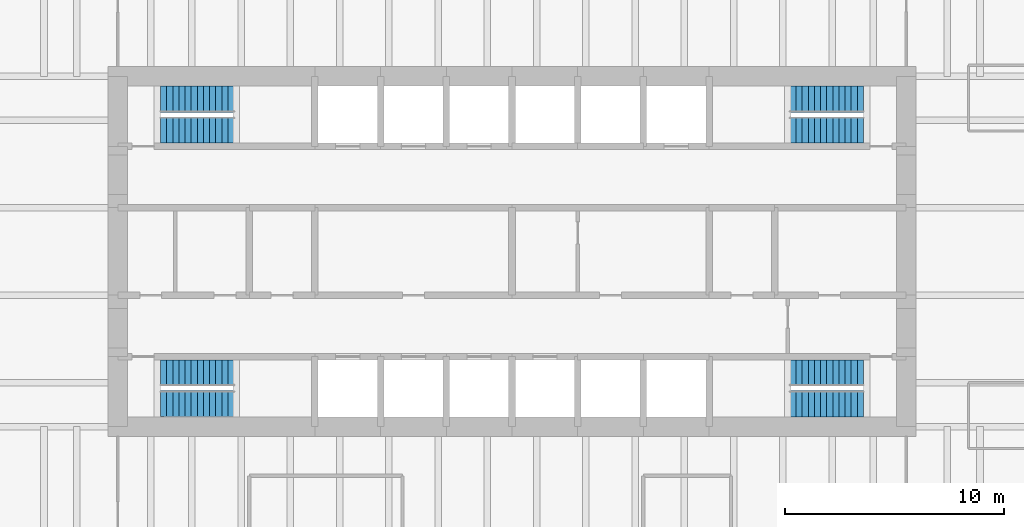
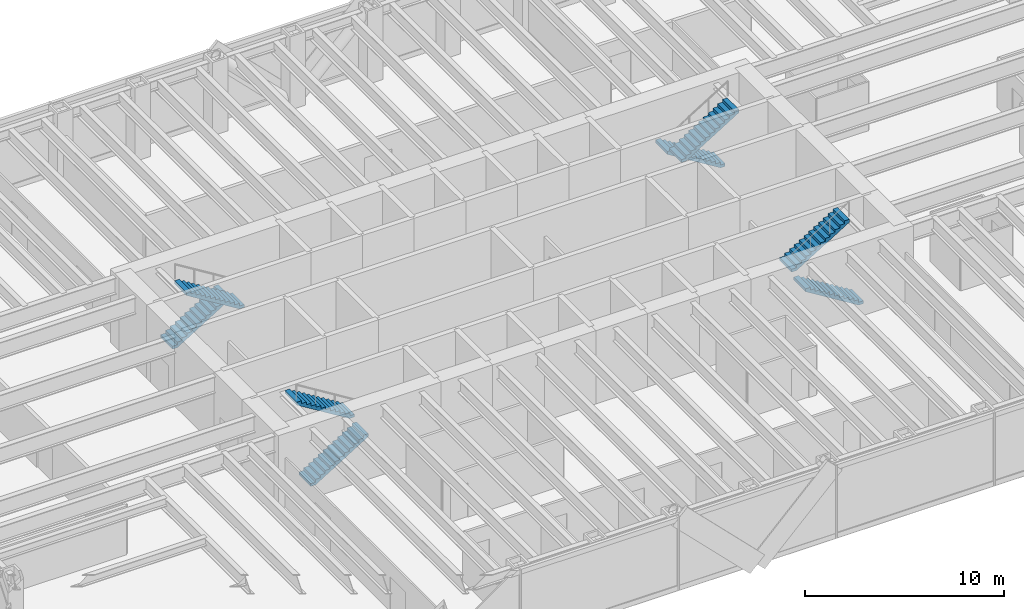
# One storey, part 12 of 13: 8 stair flights, 4 elements without a shape of their own.
"""IFC4 building model written with IfcOpenShell, lengths in metres."""

from ifc_helpers import new_model, si_unit, direction, frame, origin, place, context, subcontext, project, spatial, polyline, outline, extrude, material, type_object, element, aggregate, save


model = new_model("IFC4")

# Units and contexts
model_context = context("Model", 3, precision=1e-05, world=origin(), true_north=direction((0.0, 1.0)))
body_context = subcontext(model_context, "Body", "Model", "MODEL_VIEW")
ifc_project = project(units=[si_unit("LENGTHUNIT", "METRE"), si_unit("AREAUNIT", "SQUARE_METRE"), si_unit("VOLUMEUNIT", "CUBIC_METRE"), si_unit("PLANEANGLEUNIT", "RADIAN"), si_unit("MASSUNIT", "GRAM", prefix="KILO")], contexts=[model_context])

# Site, building, storey
site_placement = place(None, origin())
site = spatial("IfcSite", under=ifc_project, at=site_placement, CompositionType="ELEMENT")
building_placement = place(site_placement, origin())
building = spatial("IfcBuilding", under=site, at=building_placement, Name="Rheinbord Bourse Tower", CompositionType="ELEMENT")
storey_placement = place(building_placement, frame((0.0, 0.0, 32.0)))
storey = spatial("IfcBuildingStorey", under=building, at=storey_placement, Name="L06", CompositionType="ELEMENT", Elevation=32.0)

# Stair, stair flights
ifc_material_1 = material(Name="Concrete C30/37", Category="concrete")
stair_type = type_object("IfcStairType", Name="CORE STAIR HALF TURN 4500", PredefinedType="HALF_TURN_STAIR", material=ifc_material_1)
stair_1_placement = place(storey_placement, origin())
stair_1 = element("IfcStair", 1, at=stair_1_placement, inside=storey, type_object=stair_type, Name="Stair ST1 L06, type CS4", PredefinedType="HALF_TURN_STAIR")
ifc_material_2 = material(Name="Concrete C30/37", Category="concrete")
stair_flight_type = type_object("IfcStairFlightType", Name="CORE STAIR FLIGHT 1200, 13 RISERS", PredefinedType="STRAIGHT", material=ifc_material_2)
stair_flight_1_placement = place(storey_placement, frame((19.949951171875, 17.050048828125, 0.0), z_axis=(0.0, 0.0, 1.0), x_axis=(1.0, 0.0, 0.0)))
stair_flight_1 = element("IfcStairFlight", 2, at=stair_flight_1_placement, type_object=stair_flight_type, Name="STAIR L06 ST1 F1", NumberOfRisers=13, NumberOfTreads=12, PredefinedType="STRAIGHT", RiserHeight=0.173076923, TreadLength=0.28, context=body_context, shape_type="SweptSolid", body=[
    extrude(outline(polyline([(0.0, 0.0), (0.0, 0.173095703125), (0.280029296875, 0.173095703125), (0.280029296875, 0.34619140625), (0.56005859375, 0.34619140625), (0.56005859375, 0.519287109375), (0.840087890625, 0.519287109375), (0.840087890625, 0.6923828125), (1.1201171875, 0.6923828125), (1.1201171875, 0.865478515625), (1.39990234375, 0.865478515625), (1.39990234375, 1.03857421875), (1.679931640625, 1.03857421875), (1.679931640625, 1.21142578125), (1.9599609375, 1.21142578125), (1.9599609375, 1.384521484375), (2.239990234375, 1.384521484375), (2.239990234375, 1.5576171875), (2.52001953125, 1.5576171875), (2.52001953125, 1.730712890625), (2.800048828125, 1.730712890625), (2.800048828125, 1.90380859375), (3.080078125, 1.90380859375), (3.080078125, 2.076904296875), (3.360107421875, 2.076904296875), (3.360107421875, 2.25), (3.360107421875, 1.900634765625), (0.28515625, 0.0), (0.0, 0.0)])), frame((0.0, 0.60009765625, 0.0), z_axis=(0.0, -1.0, 0.0), x_axis=(1.0, 0.0, 0.0)), (0.0, 0.0, 1.0), 1.199951171875),
])
stair_flight_2_placement = place(storey_placement, frame((23.31005859375, 18.449951171875, 2.25), z_axis=(0.0, 0.0, 1.0), x_axis=(-1.0, 0.0, 0.0)))
stair_flight_2 = element("IfcStairFlight", 3, at=stair_flight_2_placement, type_object=stair_flight_type, Name="STAIR L06 ST1 F2", NumberOfRisers=13, NumberOfTreads=12, PredefinedType="STRAIGHT", RiserHeight=0.173076923, TreadLength=0.28, context=body_context, shape_type="SweptSolid", body=[
    extrude(outline(polyline([(0.0, 0.0), (0.0, 0.173095703125), (0.280029296875, 0.173095703125), (0.280029296875, 0.34619140625), (0.56005859375, 0.34619140625), (0.56005859375, 0.519287109375), (0.840087890625, 0.519287109375), (0.840087890625, 0.6923828125), (1.1201171875, 0.6923828125), (1.1201171875, 0.865478515625), (1.39990234375, 0.865478515625), (1.39990234375, 1.03857421875), (1.679931640625, 1.03857421875), (1.679931640625, 1.21142578125), (1.9599609375, 1.21142578125), (1.9599609375, 1.384521484375), (2.239990234375, 1.384521484375), (2.239990234375, 1.5576171875), (2.52001953125, 1.5576171875), (2.52001953125, 1.730712890625), (2.800048828125, 1.730712890625), (2.800048828125, 1.90380859375), (3.080078125, 1.90380859375), (3.080078125, 2.076904296875), (3.360107421875, 2.076904296875), (3.360107421875, 2.25), (3.360107421875, 1.900634765625), (0.28515625, 0.0), (0.0, 0.0)])), frame((0.0, 0.60009765625, 0.0), z_axis=(0.0, -1.0, 0.0), x_axis=(1.0, 0.0, 0.0)), (0.0, 0.0, 1.0), 1.199951171875),
])
aggregate(stair_1, [stair_flight_1, stair_flight_2])

stair_2_placement = place(storey_placement, origin())
stair_2 = element("IfcStair", 4, at=stair_2_placement, inside=storey, type_object=stair_type, Name="Stair ST2 L06, type CS4", PredefinedType="HALF_TURN_STAIR")
stair_flight_3_placement = place(storey_placement, frame((19.949951171875, 30.949951171875, 0.0), z_axis=(0.0, 0.0, 1.0), x_axis=(1.0, 0.0, 0.0)))
stair_flight_3 = element("IfcStairFlight", 5, at=stair_flight_3_placement, type_object=stair_flight_type, Name="STAIR L06 ST2 F1", NumberOfRisers=13, NumberOfTreads=12, PredefinedType="STRAIGHT", RiserHeight=0.173076923, TreadLength=0.28, context=body_context, shape_type="SweptSolid", body=[
    extrude(outline(polyline([(0.0, 0.0), (0.0, 0.173095703125), (0.280029296875, 0.173095703125), (0.280029296875, 0.34619140625), (0.56005859375, 0.34619140625), (0.56005859375, 0.519287109375), (0.840087890625, 0.519287109375), (0.840087890625, 0.6923828125), (1.1201171875, 0.6923828125), (1.1201171875, 0.865478515625), (1.39990234375, 0.865478515625), (1.39990234375, 1.03857421875), (1.679931640625, 1.03857421875), (1.679931640625, 1.21142578125), (1.9599609375, 1.21142578125), (1.9599609375, 1.384521484375), (2.239990234375, 1.384521484375), (2.239990234375, 1.5576171875), (2.52001953125, 1.5576171875), (2.52001953125, 1.730712890625), (2.800048828125, 1.730712890625), (2.800048828125, 1.90380859375), (3.080078125, 1.90380859375), (3.080078125, 2.076904296875), (3.360107421875, 2.076904296875), (3.360107421875, 2.25), (3.360107421875, 1.900634765625), (0.28515625, 0.0), (0.0, 0.0)])), frame((0.0, 0.60009765625, 0.0), z_axis=(0.0, -1.0, 0.0), x_axis=(1.0, 0.0, 0.0)), (0.0, 0.0, 1.0), 1.199951171875),
])
stair_flight_4_placement = place(storey_placement, frame((23.31005859375, 29.550048828125, 2.25), z_axis=(0.0, 0.0, 1.0), x_axis=(-1.0, 0.0, 0.0)))
stair_flight_4 = element("IfcStairFlight", 6, at=stair_flight_4_placement, type_object=stair_flight_type, Name="STAIR L06 ST2 F2", NumberOfRisers=13, NumberOfTreads=12, PredefinedType="STRAIGHT", RiserHeight=0.173076923, TreadLength=0.28, context=body_context, shape_type="SweptSolid", body=[
    extrude(outline(polyline([(0.0, 0.0), (0.0, 0.173095703125), (0.280029296875, 0.173095703125), (0.280029296875, 0.34619140625), (0.56005859375, 0.34619140625), (0.56005859375, 0.519287109375), (0.840087890625, 0.519287109375), (0.840087890625, 0.6923828125), (1.1201171875, 0.6923828125), (1.1201171875, 0.865478515625), (1.39990234375, 0.865478515625), (1.39990234375, 1.03857421875), (1.679931640625, 1.03857421875), (1.679931640625, 1.21142578125), (1.9599609375, 1.21142578125), (1.9599609375, 1.384521484375), (2.239990234375, 1.384521484375), (2.239990234375, 1.5576171875), (2.52001953125, 1.5576171875), (2.52001953125, 1.730712890625), (2.800048828125, 1.730712890625), (2.800048828125, 1.90380859375), (3.080078125, 1.90380859375), (3.080078125, 2.076904296875), (3.360107421875, 2.076904296875), (3.360107421875, 2.25), (3.360107421875, 1.900634765625), (0.28515625, 0.0), (0.0, 0.0)])), frame((0.0, 0.60009765625, 0.0), z_axis=(0.0, -1.0, 0.0), x_axis=(1.0, 0.0, 0.0)), (0.0, 0.0, 1.0), 1.199951171875),
])
aggregate(stair_2, [stair_flight_3, stair_flight_4])

stair_3_placement = place(storey_placement, origin())
stair_3 = element("IfcStair", 7, at=stair_3_placement, inside=storey, type_object=stair_type, Name="Stair ST3 L06, type CS4", PredefinedType="HALF_TURN_STAIR")
stair_flight_5_placement = place(storey_placement, frame((52.050048828125, 17.050048828125, 0.0), z_axis=(0.0, 0.0, 1.0), x_axis=(-1.0, 0.0, 0.0)))
stair_flight_5 = element("IfcStairFlight", 8, at=stair_flight_5_placement, type_object=stair_flight_type, Name="STAIR L06 ST3 F1", NumberOfRisers=13, NumberOfTreads=12, PredefinedType="STRAIGHT", RiserHeight=0.173076923, TreadLength=0.28, context=body_context, shape_type="SweptSolid", body=[
    extrude(outline(polyline([(0.0, 0.0), (0.0, 0.173095703125), (0.280029296875, 0.173095703125), (0.280029296875, 0.34619140625), (0.56005859375, 0.34619140625), (0.56005859375, 0.519287109375), (0.840087890625, 0.519287109375), (0.840087890625, 0.6923828125), (1.1201171875, 0.6923828125), (1.1201171875, 0.865478515625), (1.39990234375, 0.865478515625), (1.39990234375, 1.03857421875), (1.679931640625, 1.03857421875), (1.679931640625, 1.21142578125), (1.9599609375, 1.21142578125), (1.9599609375, 1.384521484375), (2.239990234375, 1.384521484375), (2.239990234375, 1.5576171875), (2.52001953125, 1.5576171875), (2.52001953125, 1.730712890625), (2.800048828125, 1.730712890625), (2.800048828125, 1.90380859375), (3.080078125, 1.90380859375), (3.080078125, 2.076904296875), (3.360107421875, 2.076904296875), (3.360107421875, 2.25), (3.360107421875, 1.900634765625), (0.28515625, 0.0), (0.0, 0.0)])), frame((0.0, 0.60009765625, 0.0), z_axis=(0.0, -1.0, 0.0), x_axis=(1.0, 0.0, 0.0)), (0.0, 0.0, 1.0), 1.199951171875),
])
stair_flight_6_placement = place(storey_placement, frame((48.68994140625, 18.449951171875, 2.25), z_axis=(0.0, 0.0, 1.0), x_axis=(1.0, 0.0, 0.0)))
stair_flight_6 = element("IfcStairFlight", 9, at=stair_flight_6_placement, type_object=stair_flight_type, Name="STAIR L06 ST3 F2", NumberOfRisers=13, NumberOfTreads=12, PredefinedType="STRAIGHT", RiserHeight=0.173076923, TreadLength=0.28, context=body_context, shape_type="SweptSolid", body=[
    extrude(outline(polyline([(0.0, 0.0), (0.0, 0.173095703125), (0.280029296875, 0.173095703125), (0.280029296875, 0.34619140625), (0.56005859375, 0.34619140625), (0.56005859375, 0.519287109375), (0.840087890625, 0.519287109375), (0.840087890625, 0.6923828125), (1.1201171875, 0.6923828125), (1.1201171875, 0.865478515625), (1.39990234375, 0.865478515625), (1.39990234375, 1.03857421875), (1.679931640625, 1.03857421875), (1.679931640625, 1.21142578125), (1.9599609375, 1.21142578125), (1.9599609375, 1.384521484375), (2.239990234375, 1.384521484375), (2.239990234375, 1.5576171875), (2.52001953125, 1.5576171875), (2.52001953125, 1.730712890625), (2.800048828125, 1.730712890625), (2.800048828125, 1.90380859375), (3.080078125, 1.90380859375), (3.080078125, 2.076904296875), (3.360107421875, 2.076904296875), (3.360107421875, 2.25), (3.360107421875, 1.900634765625), (0.28515625, 0.0), (0.0, 0.0)])), frame((0.0, 0.60009765625, 0.0), z_axis=(0.0, -1.0, 0.0), x_axis=(1.0, 0.0, 0.0)), (0.0, 0.0, 1.0), 1.199951171875),
])
aggregate(stair_3, [stair_flight_5, stair_flight_6])

stair_4_placement = place(storey_placement, origin())
stair_4 = element("IfcStair", 10, at=stair_4_placement, inside=storey, type_object=stair_type, Name="Stair ST4 L06, type CS4", PredefinedType="HALF_TURN_STAIR")
stair_flight_7_placement = place(storey_placement, frame((52.050048828125, 30.949951171875, 0.0), z_axis=(0.0, 0.0, 1.0), x_axis=(-1.0, 0.0, 0.0)))
stair_flight_7 = element("IfcStairFlight", 11, at=stair_flight_7_placement, type_object=stair_flight_type, Name="STAIR L06 ST4 F1", NumberOfRisers=13, NumberOfTreads=12, PredefinedType="STRAIGHT", RiserHeight=0.173076923, TreadLength=0.28, context=body_context, shape_type="SweptSolid", body=[
    extrude(outline(polyline([(0.0, 0.0), (0.0, 0.173095703125), (0.280029296875, 0.173095703125), (0.280029296875, 0.34619140625), (0.56005859375, 0.34619140625), (0.56005859375, 0.519287109375), (0.840087890625, 0.519287109375), (0.840087890625, 0.6923828125), (1.1201171875, 0.6923828125), (1.1201171875, 0.865478515625), (1.39990234375, 0.865478515625), (1.39990234375, 1.03857421875), (1.679931640625, 1.03857421875), (1.679931640625, 1.21142578125), (1.9599609375, 1.21142578125), (1.9599609375, 1.384521484375), (2.239990234375, 1.384521484375), (2.239990234375, 1.5576171875), (2.52001953125, 1.5576171875), (2.52001953125, 1.730712890625), (2.800048828125, 1.730712890625), (2.800048828125, 1.90380859375), (3.080078125, 1.90380859375), (3.080078125, 2.076904296875), (3.360107421875, 2.076904296875), (3.360107421875, 2.25), (3.360107421875, 1.900634765625), (0.28515625, 0.0), (0.0, 0.0)])), frame((0.0, 0.60009765625, 0.0), z_axis=(0.0, -1.0, 0.0), x_axis=(1.0, 0.0, 0.0)), (0.0, 0.0, 1.0), 1.199951171875),
])
stair_flight_8_placement = place(storey_placement, frame((48.68994140625, 29.550048828125, 2.25), z_axis=(0.0, 0.0, 1.0), x_axis=(1.0, 0.0, 0.0)))
stair_flight_8 = element("IfcStairFlight", 12, at=stair_flight_8_placement, type_object=stair_flight_type, Name="STAIR L06 ST4 F2", NumberOfRisers=13, NumberOfTreads=12, PredefinedType="STRAIGHT", RiserHeight=0.173076923, TreadLength=0.28, context=body_context, shape_type="SweptSolid", body=[
    extrude(outline(polyline([(0.0, 0.0), (0.0, 0.173095703125), (0.280029296875, 0.173095703125), (0.280029296875, 0.34619140625), (0.56005859375, 0.34619140625), (0.56005859375, 0.519287109375), (0.840087890625, 0.519287109375), (0.840087890625, 0.6923828125), (1.1201171875, 0.6923828125), (1.1201171875, 0.865478515625), (1.39990234375, 0.865478515625), (1.39990234375, 1.03857421875), (1.679931640625, 1.03857421875), (1.679931640625, 1.21142578125), (1.9599609375, 1.21142578125), (1.9599609375, 1.384521484375), (2.239990234375, 1.384521484375), (2.239990234375, 1.5576171875), (2.52001953125, 1.5576171875), (2.52001953125, 1.730712890625), (2.800048828125, 1.730712890625), (2.800048828125, 1.90380859375), (3.080078125, 1.90380859375), (3.080078125, 2.076904296875), (3.360107421875, 2.076904296875), (3.360107421875, 2.25), (3.360107421875, 1.900634765625), (0.28515625, 0.0), (0.0, 0.0)])), frame((0.0, 0.60009765625, 0.0), z_axis=(0.0, -1.0, 0.0), x_axis=(1.0, 0.0, 0.0)), (0.0, 0.0, 1.0), 1.199951171875),
])
aggregate(stair_4, [stair_flight_7, stair_flight_8])

save(model, "model.ifc")
